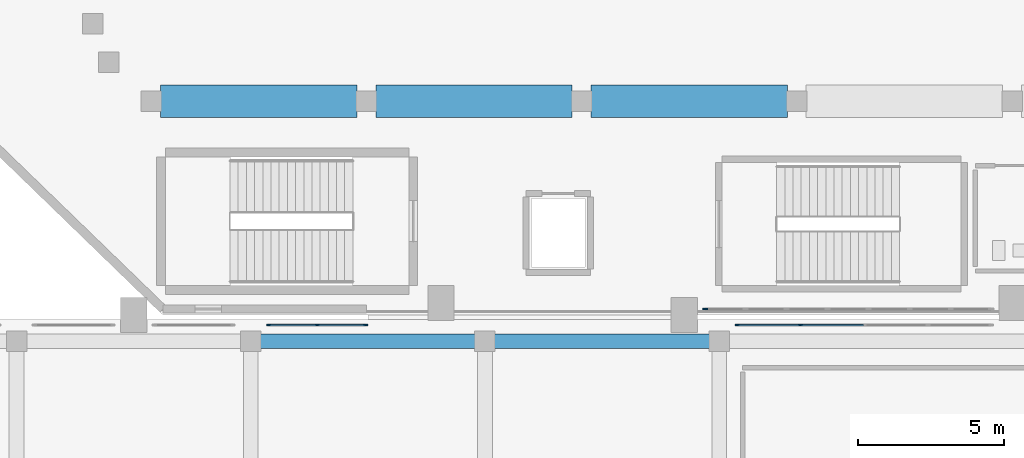
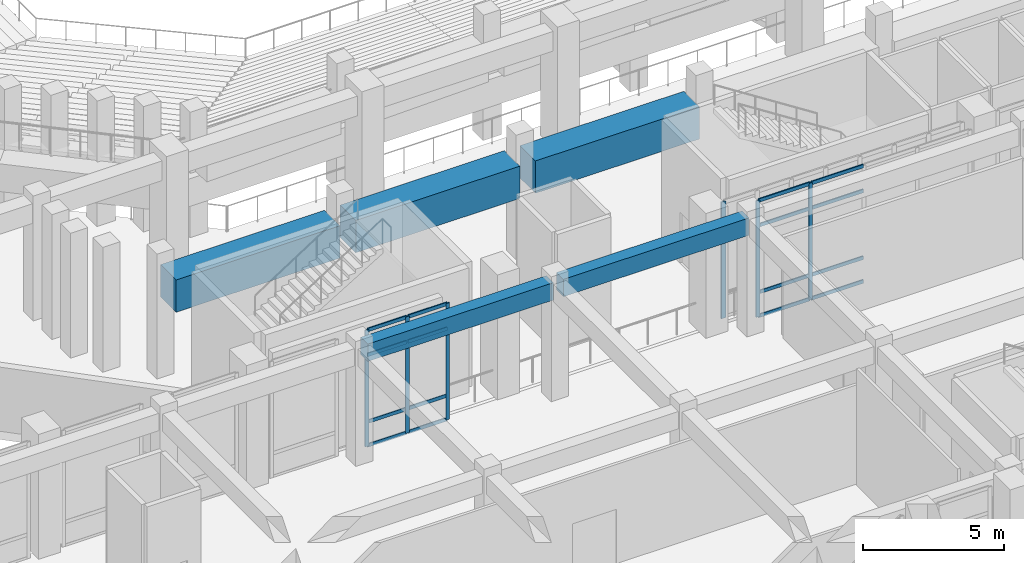
# One storey, part 23 of 159: 22 members, 5 beams, 3 elements without a shape of their own.
"""IFC4 building model written with IfcOpenShell, lengths in metres."""

from ifc_helpers import new_model, si_unit, derived_unit, direction, frame, origin, origin_2d, place, context, subcontext, project, spatial, rectangle, extrude, material, layer, layer_set, material_profile, profile_set, type_object, element, aggregate, save


model = new_model("IFC4")

# Units and contexts
model_context = context("Model", 3, precision=1e-05, world=origin(), true_north=direction((0.0, 1.0)))
body_context = subcontext(model_context, "Body", "Model", "MODEL_VIEW")
ifc_project = project(units=[si_unit("LENGTHUNIT", "METRE"), si_unit("AREAUNIT", "SQUARE_METRE"), si_unit("VOLUMEUNIT", "CUBIC_METRE"), si_unit("PLANEANGLEUNIT", "RADIAN"), si_unit("MASSUNIT", "GRAM", prefix="KILO"), derived_unit("THERMALTRANSMITTANCEUNIT", [(si_unit("MASSUNIT", "GRAM", prefix="KILO"), 1), (si_unit("TIMEUNIT", "SECOND"), -3), (si_unit("THERMODYNAMICTEMPERATUREUNIT", "KELVIN"), -1)])], contexts=[model_context])

# Site, building, storey
site_placement = place(None, origin())
site = spatial("IfcSite", under=ifc_project, at=site_placement, CompositionType="ELEMENT")
building_placement = place(site_placement, origin())
building = spatial("IfcBuilding", under=site, at=building_placement, Name="Valcora Ridge Arena", CompositionType="ELEMENT")
storey_placement = place(building_placement, frame((0.0, 0.0, 6.0)))
storey = spatial("IfcBuildingStorey", under=building, at=storey_placement, Name="L01", CompositionType="ELEMENT", Elevation=6.0)

# Beams
ifc_material_1 = material(Name="Concrete C40/50", Category="concrete")
ifc_material_profile_1 = material_profile(ifc_material_1, rectangle(XDim=0.5, YDim=0.75, at=origin_2d()), Name="RC 500x750")
ifc_profile_set_1 = profile_set([ifc_material_profile_1], Name="Concrete C40/50")
beam_type_1 = type_object("IfcBeamType", Name="TY-BEAM-B-RC500-X", PredefinedType="BEAM", material=ifc_profile_set_1)
for number, where, z_axis, x_axis, name in (
    (1, (32.199951171875, 19.10009765625, 4.6650390625), (1.0, 0.0, 0.0), (0.0, 1.0, 0.0), "B-RC500-X BEM-B-RC500-X-0038"),
    (2, (40.199951171875, 19.10009765625, 4.6650390625), (1.0, 0.0, 0.0), (0.0, 1.0, 0.0), "B-RC500-X BEM-B-RC500-X-0039"),
):
    element("IfcBeam", number, at=place(storey_placement, frame(where, z_axis=z_axis, x_axis=x_axis)), inside=storey, type_object=beam_type_1, Name=name, PredefinedType="BEAM", context=body_context, shape_type="SweptSolid", body=[
        extrude(rectangle(XDim=0.5, YDim=0.75, at=origin_2d()), origin(), (0.0, 0.0, 1.0), 7.60009765625),
    ])
ifc_material_2 = material(Name="Concrete C45/55", Category="concrete")
ifc_material_profile_2 = material_profile(ifc_material_2, rectangle(XDim=1.10009765625, YDim=1.39990234375, at=origin_2d()), Name="RC 1100x1400")
ifc_profile_set_2 = profile_set([ifc_material_profile_2], Name="Concrete C45/55")
beam_type_2 = type_object("IfcBeamType", Name="TY-BEAM-RKR-URING-1200", PredefinedType="USERDEFINED", material=ifc_profile_set_2)
for number, where, z_axis, x_axis, name in (
    (3, (28.919921875, 27.300048828125, 3.47509765625), (1.0, 0.0, 0.0), (0.0, 1.0, 0.0), "RKR-URING-1200 BEM-RU2-RKR-URING-1200-0001"),
    (4, (36.27001953125, 27.300048828125, 3.47509765625), (1.0, 0.0, 0.0), (0.0, 1.0, 0.0), "RKR-URING-1200 BEM-RU2-RKR-URING-1200-0002"),
    (5, (43.6201171875, 27.300048828125, 3.47509765625), (1.0, 0.0, 0.0), (0.0, 1.0, 0.0), "RKR-URING-1200 BEM-RU2-RKR-URING-1200-0003"),
):
    element("IfcBeam", number, at=place(storey_placement, frame(where, z_axis=z_axis, x_axis=x_axis)), inside=storey, type_object=beam_type_2, Name=name, ObjectType="RAKER", PredefinedType="USERDEFINED", context=body_context, shape_type="SweptSolid", body=[
        extrude(rectangle(XDim=1.10009765625, YDim=1.39990234375, at=origin_2d()), origin(), (0.0, 0.0, 1.0), 6.7099609375),
    ])

# Curtain wall, members
ifc_material_3 = material(Name="Anodised dark bronze architectural aluminium 6063-T6", Category="aluminium")
ifc_layer_1 = layer(ifc_material_3, 0.14990234375, Name="Anodised dark bronze architectural aluminium 6063-T6")
ifc_layer_set_1 = layer_set([ifc_layer_1], Name="Anodised dark bronze architectural aluminium 6063-T6")
curtain_wall_type_1 = type_object("IfcCurtainWallType", Name="TY-CURTAINWALL-CW-V4-CLUB-034X50", PredefinedType="NOTDEFINED", material=ifc_layer_set_1)
curtain_wall_1_placement = place(storey_placement, origin())
curtain_wall_1 = element("IfcCurtainWall", 6, at=curtain_wall_1_placement, inside=storey, type_object=curtain_wall_type_1, Name="CW-V4-CLUB-034X50 CW-0220", PredefinedType="NOTDEFINED")
ifc_material_profile_3 = material_profile(ifc_material_3, rectangle(XDim=0.050048828125, YDim=0.14990234375, at=origin_2d()), Name="ALU MULLION 50x150")
ifc_profile_set_3 = profile_set([ifc_material_profile_3], Name="Anodised dark bronze architectural aluminium 6063-T6")
member_type_1 = type_object("IfcMemberType", Name="TY-MEM-CWM-50x150", PredefinedType="MULLION", material=ifc_profile_set_3)
member_1_placement = place(storey_placement, frame((32.614990234375, 19.64990234375, 0.0), z_axis=(0.0, 0.0, 1.0), x_axis=(0.0, 1.0, 0.0)))
member_1 = element("IfcMember", 7, at=member_1_placement, type_object=member_type_1, Name="CW-0220/CWM-50x150/M00", PredefinedType="MULLION", context=body_context, shape_type="SweptSolid", body=[
    extrude(rectangle(XDim=0.050048828125, YDim=0.14990234375, at=origin_2d()), origin(), (0.0, 0.0, 1.0), 5.0400390625),
])
member_2_placement = place(storey_placement, frame((34.27001953125, 19.64990234375, 0.0), z_axis=(0.0, 0.0, 1.0), x_axis=(0.0, 1.0, 0.0)))
member_2 = element("IfcMember", 8, at=member_2_placement, type_object=member_type_1, Name="CW-0220/CWM-50x150/M01", PredefinedType="MULLION", context=body_context, shape_type="SweptSolid", body=[
    extrude(rectangle(XDim=0.050048828125, YDim=0.14990234375, at=origin_2d()), origin(), (0.0, 0.0, 1.0), 5.0400390625),
])
member_3_placement = place(storey_placement, frame((35.925048828125, 19.64990234375, 0.0), z_axis=(0.0, 0.0, 1.0), x_axis=(0.0, 1.0, 0.0)))
member_3 = element("IfcMember", 9, at=member_3_placement, type_object=member_type_1, Name="CW-0220/CWM-50x150/M02", PredefinedType="MULLION", context=body_context, shape_type="SweptSolid", body=[
    extrude(rectangle(XDim=0.050048828125, YDim=0.14990234375, at=origin_2d()), origin(), (0.0, 0.0, 1.0), 5.0400390625),
])

ifc_layer_2 = layer(ifc_material_3, 0.14990234375, Name="Anodised dark bronze architectural aluminium 6063-T6")
ifc_layer_set_2 = layer_set([ifc_layer_2], Name="Anodised dark bronze architectural aluminium 6063-T6")
curtain_wall_type_2 = type_object("IfcCurtainWallType", Name="TY-CURTAINWALL-CW-V4-CLUB-087X50", PredefinedType="NOTDEFINED", material=ifc_layer_set_2)
curtain_wall_2_placement = place(storey_placement, origin())
curtain_wall_2 = element("IfcCurtainWall", 10, at=curtain_wall_2_placement, inside=storey, type_object=curtain_wall_type_2, Name="CW-V4-CLUB-087X50 CW-0221", PredefinedType="NOTDEFINED")
member_4_placement = place(storey_placement, frame((48.614990234375, 19.64990234375, 0.0), z_axis=(0.0, 0.0, 1.0), x_axis=(0.0, 1.0, 0.0)))
member_4 = element("IfcMember", 11, at=member_4_placement, type_object=member_type_1, Name="CW-0221/CWM-50x150/M00", PredefinedType="MULLION", context=body_context, shape_type="SweptSolid", body=[
    extrude(rectangle(XDim=0.050048828125, YDim=0.14990234375, at=origin_2d()), origin(), (0.0, 0.0, 1.0), 5.0400390625),
])
member_5_placement = place(storey_placement, frame((50.77001953125, 19.64990234375, 0.0), z_axis=(0.0, 0.0, 1.0), x_axis=(0.0, 1.0, 0.0)))
member_5 = element("IfcMember", 12, at=member_5_placement, type_object=member_type_1, Name="CW-0221/CWM-50x150/M01", PredefinedType="MULLION", context=body_context, shape_type="SweptSolid", body=[
    extrude(rectangle(XDim=0.050048828125, YDim=0.14990234375, at=origin_2d()), origin(), (0.0, 0.0, 1.0), 5.0400390625),
])

# Curtain wall, member
ifc_layer_3 = layer(ifc_material_3, 0.179931640625, Name="Anodised dark bronze architectural aluminium 6063-T6")
ifc_layer_set_3 = layer_set([ifc_layer_3], Name="Anodised dark bronze architectural aluminium 6063-T6")
curtain_wall_type_3 = type_object("IfcCurtainWallType", Name="TY-CURTAINWALL-CW-V1-GOTH-098X50", PredefinedType="NOTDEFINED", material=ifc_layer_set_3)
curtain_wall_3_placement = place(storey_placement, origin())
curtain_wall_3 = element("IfcCurtainWall", 13, at=curtain_wall_3_placement, inside=storey, type_object=curtain_wall_type_3, Name="CW-V1-GOTH-098X50 CW-0098", PredefinedType="NOTDEFINED")
ifc_material_profile_4 = material_profile(ifc_material_3, rectangle(XDim=0.06005859375, YDim=0.179931640625, at=origin_2d()), Name="ALU MULLION 60x180")
ifc_profile_set_4 = profile_set([ifc_material_profile_4], Name="Anodised dark bronze architectural aluminium 6063-T6")
member_type_2 = type_object("IfcMemberType", Name="TY-MEM-CWM-60x180", PredefinedType="MULLION", material=ifc_profile_set_4)
member_6_placement = place(storey_placement, frame((47.52001953125, 20.199951171875, 0.0), z_axis=(0.0, 0.0, 1.0), x_axis=(0.0, 1.0, 0.0)))
member_6 = element("IfcMember", 14, at=member_6_placement, type_object=member_type_2, Name="CW-0098/CWM-60x180/M00", PredefinedType="MULLION", context=body_context, shape_type="SweptSolid", body=[
    extrude(rectangle(XDim=0.06005859375, YDim=0.179931640625, at=origin_2d()), origin(), (0.0, 0.0, 1.0), 5.0400390625),
])
aggregate(curtain_wall_3, [member_6])

# Member
ifc_material_profile_5 = material_profile(ifc_material_3, rectangle(XDim=0.050048828125, YDim=0.14990234375, at=origin_2d()), Name="ALU TRANSOM 50x150")
ifc_profile_set_5 = profile_set([ifc_material_profile_5], Name="Anodised dark bronze architectural aluminium 6063-T6")
member_type_3 = type_object("IfcMemberType", Name="TY-MEM-CWT-50x150", PredefinedType="USERDEFINED", material=ifc_profile_set_5)
member_7_placement = place(storey_placement, frame((32.639892578125, 19.64990234375, 0.02490234375), z_axis=(1.0, 0.0, 0.0), x_axis=(0.0, 1.0, 0.0)))
member_7 = element("IfcMember", 15, at=member_7_placement, type_object=member_type_3, Name="CW-0220/CWT-50x150/T00-00", ObjectType="TRANSOM", PredefinedType="USERDEFINED", context=body_context, shape_type="SweptSolid", body=[
    extrude(rectangle(XDim=0.050048828125, YDim=0.14990234375, at=origin_2d()), origin(), (0.0, 0.0, 1.0), 1.605224609375),
])

member_8_placement = place(storey_placement, frame((32.639892578125, 19.64990234375, 1.050048828125), z_axis=(1.0, 0.0, 0.0), x_axis=(0.0, 1.0, 0.0)))
member_8 = element("IfcMember", 16, at=member_8_placement, type_object=member_type_3, Name="CW-0220/CWT-50x150/T00-01", ObjectType="TRANSOM", PredefinedType="USERDEFINED", context=body_context, shape_type="SweptSolid", body=[
    extrude(rectangle(XDim=0.050048828125, YDim=0.14990234375, at=origin_2d()), origin(), (0.0, 0.0, 1.0), 1.605224609375),
])

member_9_placement = place(storey_placement, frame((32.639892578125, 19.64990234375, 3.93994140625), z_axis=(1.0, 0.0, 0.0), x_axis=(0.0, 1.0, 0.0)))
member_9 = element("IfcMember", 17, at=member_9_placement, type_object=member_type_3, Name="CW-0220/CWT-50x150/T00-02", ObjectType="TRANSOM", PredefinedType="USERDEFINED", context=body_context, shape_type="SweptSolid", body=[
    extrude(rectangle(XDim=0.050048828125, YDim=0.14990234375, at=origin_2d()), origin(), (0.0, 0.0, 1.0), 1.605224609375),
])

member_10_placement = place(storey_placement, frame((32.639892578125, 19.64990234375, 5.014892578125), z_axis=(1.0, 0.0, 0.0), x_axis=(0.0, 1.0, 0.0)))
member_10 = element("IfcMember", 18, at=member_10_placement, type_object=member_type_3, Name="CW-0220/CWT-50x150/T00-03", ObjectType="TRANSOM", PredefinedType="USERDEFINED", context=body_context, shape_type="SweptSolid", body=[
    extrude(rectangle(XDim=0.050048828125, YDim=0.14990234375, at=origin_2d()), origin(), (0.0, 0.0, 1.0), 1.605224609375),
])

member_11_placement = place(storey_placement, frame((34.294921875, 19.64990234375, 0.02490234375), z_axis=(1.0, 0.0, 0.0), x_axis=(0.0, 1.0, 0.0)))
member_11 = element("IfcMember", 19, at=member_11_placement, type_object=member_type_3, Name="CW-0220/CWT-50x150/T01-00", ObjectType="TRANSOM", PredefinedType="USERDEFINED", context=body_context, shape_type="SweptSolid", body=[
    extrude(rectangle(XDim=0.050048828125, YDim=0.14990234375, at=origin_2d()), origin(), (0.0, 0.0, 1.0), 1.60498046875),
])

member_12_placement = place(storey_placement, frame((34.294921875, 19.64990234375, 1.050048828125), z_axis=(1.0, 0.0, 0.0), x_axis=(0.0, 1.0, 0.0)))
member_12 = element("IfcMember", 20, at=member_12_placement, type_object=member_type_3, Name="CW-0220/CWT-50x150/T01-01", ObjectType="TRANSOM", PredefinedType="USERDEFINED", context=body_context, shape_type="SweptSolid", body=[
    extrude(rectangle(XDim=0.050048828125, YDim=0.14990234375, at=origin_2d()), origin(), (0.0, 0.0, 1.0), 1.60498046875),
])

member_13_placement = place(storey_placement, frame((34.294921875, 19.64990234375, 3.93994140625), z_axis=(1.0, 0.0, 0.0), x_axis=(0.0, 1.0, 0.0)))
member_13 = element("IfcMember", 21, at=member_13_placement, type_object=member_type_3, Name="CW-0220/CWT-50x150/T01-02", ObjectType="TRANSOM", PredefinedType="USERDEFINED", context=body_context, shape_type="SweptSolid", body=[
    extrude(rectangle(XDim=0.050048828125, YDim=0.14990234375, at=origin_2d()), origin(), (0.0, 0.0, 1.0), 1.60498046875),
])

member_14_placement = place(storey_placement, frame((34.294921875, 19.64990234375, 5.014892578125), z_axis=(1.0, 0.0, 0.0), x_axis=(0.0, 1.0, 0.0)))
member_14 = element("IfcMember", 22, at=member_14_placement, type_object=member_type_3, Name="CW-0220/CWT-50x150/T01-03", ObjectType="TRANSOM", PredefinedType="USERDEFINED", context=body_context, shape_type="SweptSolid", body=[
    extrude(rectangle(XDim=0.050048828125, YDim=0.14990234375, at=origin_2d()), origin(), (0.0, 0.0, 1.0), 1.60498046875),
])

aggregate(curtain_wall_1, [member_1, member_2, member_3, member_7, member_8, member_9, member_10, member_11, member_12, member_13, member_14])

member_15_placement = place(storey_placement, frame((48.639892578125, 19.64990234375, 0.02490234375), z_axis=(1.0, 0.0, 0.0), x_axis=(0.0, 1.0, 0.0)))
member_15 = element("IfcMember", 23, at=member_15_placement, type_object=member_type_3, Name="CW-0221/CWT-50x150/T00-00", ObjectType="TRANSOM", PredefinedType="USERDEFINED", context=body_context, shape_type="SweptSolid", body=[
    extrude(rectangle(XDim=0.050048828125, YDim=0.14990234375, at=origin_2d()), origin(), (0.0, 0.0, 1.0), 2.105224609375),
])

member_16_placement = place(storey_placement, frame((48.639892578125, 19.64990234375, 1.050048828125), z_axis=(1.0, 0.0, 0.0), x_axis=(0.0, 1.0, 0.0)))
member_16 = element("IfcMember", 24, at=member_16_placement, type_object=member_type_3, Name="CW-0221/CWT-50x150/T00-01", ObjectType="TRANSOM", PredefinedType="USERDEFINED", context=body_context, shape_type="SweptSolid", body=[
    extrude(rectangle(XDim=0.050048828125, YDim=0.14990234375, at=origin_2d()), origin(), (0.0, 0.0, 1.0), 2.105224609375),
])

member_17_placement = place(storey_placement, frame((48.639892578125, 19.64990234375, 3.93994140625), z_axis=(1.0, 0.0, 0.0), x_axis=(0.0, 1.0, 0.0)))
member_17 = element("IfcMember", 25, at=member_17_placement, type_object=member_type_3, Name="CW-0221/CWT-50x150/T00-02", ObjectType="TRANSOM", PredefinedType="USERDEFINED", context=body_context, shape_type="SweptSolid", body=[
    extrude(rectangle(XDim=0.050048828125, YDim=0.14990234375, at=origin_2d()), origin(), (0.0, 0.0, 1.0), 2.105224609375),
])

member_18_placement = place(storey_placement, frame((48.639892578125, 19.64990234375, 5.014892578125), z_axis=(1.0, 0.0, 0.0), x_axis=(0.0, 1.0, 0.0)))
member_18 = element("IfcMember", 26, at=member_18_placement, type_object=member_type_3, Name="CW-0221/CWT-50x150/T00-03", ObjectType="TRANSOM", PredefinedType="USERDEFINED", context=body_context, shape_type="SweptSolid", body=[
    extrude(rectangle(XDim=0.050048828125, YDim=0.14990234375, at=origin_2d()), origin(), (0.0, 0.0, 1.0), 2.105224609375),
])

member_19_placement = place(storey_placement, frame((50.794921875, 19.64990234375, 0.02490234375), z_axis=(1.0, 0.0, 0.0), x_axis=(0.0, 1.0, 0.0)))
member_19 = element("IfcMember", 27, at=member_19_placement, type_object=member_type_3, Name="CW-0221/CWT-50x150/T01-00", ObjectType="TRANSOM", PredefinedType="USERDEFINED", context=body_context, shape_type="SweptSolid", body=[
    extrude(rectangle(XDim=0.050048828125, YDim=0.14990234375, at=origin_2d()), origin(), (0.0, 0.0, 1.0), 2.130126953125),
])

member_20_placement = place(storey_placement, frame((50.794921875, 19.64990234375, 1.050048828125), z_axis=(1.0, 0.0, 0.0), x_axis=(0.0, 1.0, 0.0)))
member_20 = element("IfcMember", 28, at=member_20_placement, type_object=member_type_3, Name="CW-0221/CWT-50x150/T01-01", ObjectType="TRANSOM", PredefinedType="USERDEFINED", context=body_context, shape_type="SweptSolid", body=[
    extrude(rectangle(XDim=0.050048828125, YDim=0.14990234375, at=origin_2d()), origin(), (0.0, 0.0, 1.0), 2.130126953125),
])

member_21_placement = place(storey_placement, frame((50.794921875, 19.64990234375, 3.93994140625), z_axis=(1.0, 0.0, 0.0), x_axis=(0.0, 1.0, 0.0)))
member_21 = element("IfcMember", 29, at=member_21_placement, type_object=member_type_3, Name="CW-0221/CWT-50x150/T01-02", ObjectType="TRANSOM", PredefinedType="USERDEFINED", context=body_context, shape_type="SweptSolid", body=[
    extrude(rectangle(XDim=0.050048828125, YDim=0.14990234375, at=origin_2d()), origin(), (0.0, 0.0, 1.0), 2.130126953125),
])

member_22_placement = place(storey_placement, frame((50.794921875, 19.64990234375, 5.014892578125), z_axis=(1.0, 0.0, 0.0), x_axis=(0.0, 1.0, 0.0)))
member_22 = element("IfcMember", 30, at=member_22_placement, type_object=member_type_3, Name="CW-0221/CWT-50x150/T01-03", ObjectType="TRANSOM", PredefinedType="USERDEFINED", context=body_context, shape_type="SweptSolid", body=[
    extrude(rectangle(XDim=0.050048828125, YDim=0.14990234375, at=origin_2d()), origin(), (0.0, 0.0, 1.0), 2.130126953125),
])

aggregate(curtain_wall_2, [member_4, member_5, member_15, member_16, member_17, member_18, member_19, member_20, member_21, member_22])

save(model, "model.ifc")
